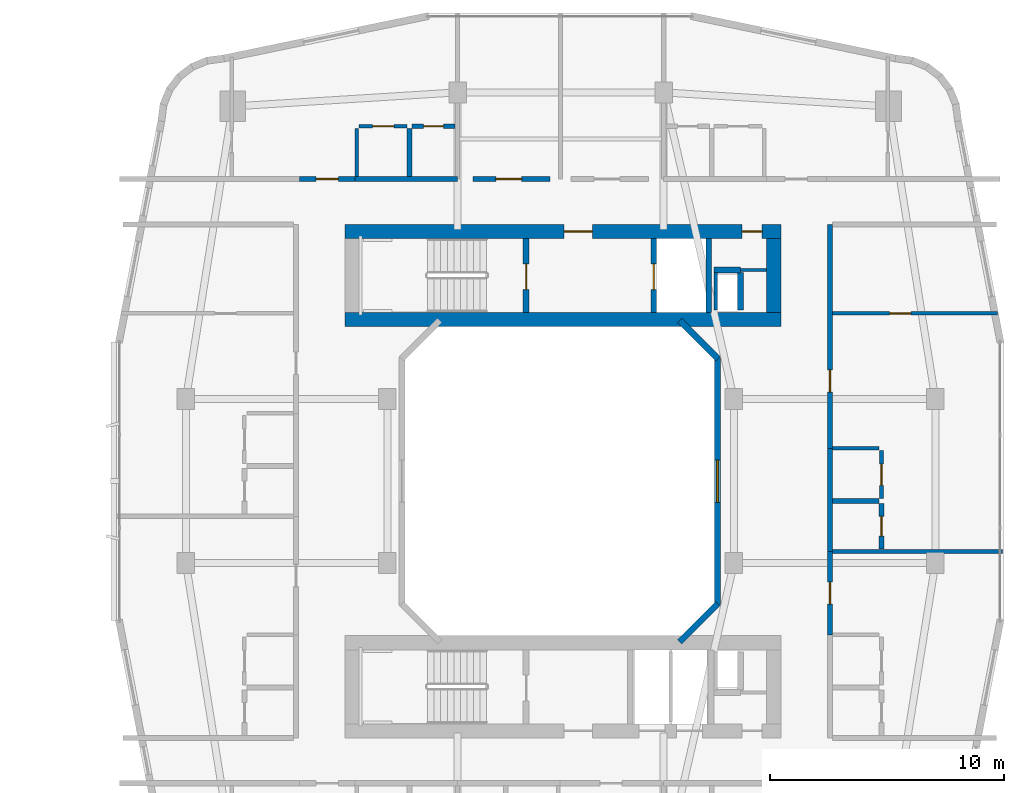
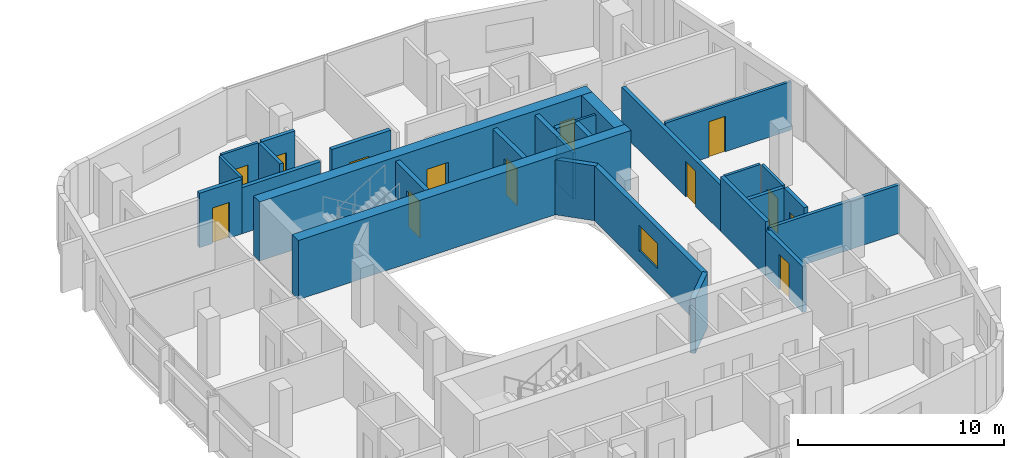
# One storey, part 20 of 27: 29 walls, 13 doors, 1 window, 14 openings.
"""IFC4 building model written with IfcOpenShell, lengths in metres."""

import ifcopenshell
import ifcopenshell.guid

model = None  # the IFC model being written
_history = None  # IfcOwnerHistory: only IFC2X3 demands one
_inside = {}  # id of a spatial element -> (the spatial element, [elements in it])
_under = {}  # id of a project, library or spatial element -> (it, [spatial elements below it])
_declared = {}  # id of a project -> (the project, [libraries it declares])
_typed = {}  # id of a type object -> (the type object, [elements of that type])
_made_of = {}  # id of a material, layer set ... -> (it, [elements and type objects made of it])


def new_model(schema):
    """Start an empty IFC model of exactly this schema.

    Asked for "IFC4X3", IfcOpenShell would pick the latest addendum, in which some entities
    have other attributes; the version numbers below select the first issue.
    IFC2X3 requires an IfcOwnerHistory on every rooted entity: one is made here for all.
    """
    global model, _history
    if schema == "IFC4X3":
        model = ifcopenshell.file(schema_version=(4, 3, 0, 0))
    else:
        model = ifcopenshell.file(schema=schema)
    _inside.clear()
    _under.clear()
    _declared.clear()
    _typed.clear()
    _made_of.clear()
    _history = None
    if model.schema == "IFC2X3":
        org = make("IfcOrganization", Name="unknown")
        user = make(
            "IfcPersonAndOrganization",
            ThePerson=make("IfcPerson", FamilyName="unknown"),
            TheOrganization=org,
        )
        app = make(
            "IfcApplication",
            ApplicationDeveloper=org,
            Version="unknown",
            ApplicationFullName="unknown",
            ApplicationIdentifier="unknown",
        )
        _history = make(
            "IfcOwnerHistory",
            OwningUser=user,
            OwningApplication=app,
            ChangeAction="ADDED",
            CreationDate=0,
        )
    return model


def make(cls, **values):
    """One entity of the class cls with the attributes given. An attribute that is None is left unset."""
    return model.create_entity(
        cls, **{name: value for name, value in values.items() if value is not None}
    )


def rooted(cls, **values):
    """An entity with a GlobalId (a new one), such as an element, a storey or a relation."""
    return make(cls, GlobalId=ifcopenshell.guid.new(), OwnerHistory=_history, **values)


def si_unit(unit_type, name, prefix=None):
    """IfcSIUnit, for example si_unit("LENGTHUNIT", "METRE", prefix="MILLI")."""
    return make("IfcSIUnit", UnitType=unit_type, Prefix=prefix, Name=name)


def derived_unit(unit_type, elements):
    """IfcDerivedUnit: a product of units, each with its exponent."""
    return make(
        "IfcDerivedUnit",
        Elements=[
            make("IfcDerivedUnitElement", Unit=unit, Exponent=power)
            for unit, power in elements
        ],
        UnitType=unit_type,
    )


def assignment(units):
    """IfcUnitAssignment: the units of a project."""
    return None if units is None else make("IfcUnitAssignment", Units=units)


def point(xyz):
    """IfcCartesianPoint."""
    return None if xyz is None else make("IfcCartesianPoint", Coordinates=xyz)


def direction(xyz):
    """IfcDirection."""
    return None if xyz is None else make("IfcDirection", DirectionRatios=xyz)


def frame(location, z_axis=None, x_axis=None):
    """IfcAxis2Placement3D, a coordinate frame: its origin and axes. An axis left out is left unset."""
    return make(
        "IfcAxis2Placement3D",
        Location=point(location),
        Axis=direction(z_axis),
        RefDirection=direction(x_axis),
    )


def frame_2d(location, x_axis=None):
    """IfcAxis2Placement2D, a coordinate frame in the plane: its origin and x axis."""
    return make(
        "IfcAxis2Placement2D", Location=point(location), RefDirection=direction(x_axis)
    )


def origin():
    """The frame at (0, 0, 0) with its axes left unset."""
    return frame((0.0, 0.0, 0.0))


def place(relative_to, where):
    """IfcLocalPlacement: puts the frame where relative to a parent placement (None: the world)."""
    return make(
        "IfcLocalPlacement", PlacementRelTo=relative_to, RelativePlacement=where
    )


def context(
    kind, dimensions, precision=None, world=None, true_north=None, identifier=None
):
    """IfcGeometricRepresentationContext, for example the 3D "Model" context."""
    return make(
        "IfcGeometricRepresentationContext",
        ContextIdentifier=identifier,
        ContextType=kind,
        CoordinateSpaceDimension=dimensions,
        Precision=precision,
        WorldCoordinateSystem=world,
        TrueNorth=true_north,
    )


def subcontext(parent, identifier, kind, view, scale=None):
    """IfcGeometricRepresentationSubContext, for example "Body" below "Model"."""
    return make(
        "IfcGeometricRepresentationSubContext",
        ContextIdentifier=identifier,
        ContextType=kind,
        ParentContext=parent,
        TargetScale=scale,
        TargetView=view,
    )


def project(units=None, contexts=None):
    """IfcProject with its units and contexts."""
    return rooted(
        "IfcProject",
        Name="project",
        RepresentationContexts=contexts,
        UnitsInContext=assignment(units),
    )


def spatial(cls, under=None, at=None, **own):
    """A site, building, storey or space (cls), placed at a placement, below another one or the project."""
    s = rooted(cls, ObjectPlacement=at, **own)
    if under is not None:
        _under.setdefault(under.id(), (under, []))[1].append(s)
    return s


def profile(cls, at=None, kind="AREA", **sizes):
    """A parametric profile (cls). Its sizes go by their IFC names, for example OverallWidth=200.0."""
    return make(cls, ProfileType=kind, Position=at, **sizes)


def rectangle(**sizes):
    """IfcRectangleProfileDef."""
    return profile("IfcRectangleProfileDef", **sizes)


def extrude(swept, where, along, depth):
    """IfcExtrudedAreaSolid: the profile swept, set in the frame where, extruded along a direction by depth."""
    return make(
        "IfcExtrudedAreaSolid",
        SweptArea=swept,
        Position=where,
        ExtrudedDirection=direction(along),
        Depth=depth,
    )


def shape(context_of_items, identifier, shape_type, items):
    """IfcShapeRepresentation: the items that make up one representation, for example the "Body"."""
    return make(
        "IfcShapeRepresentation",
        ContextOfItems=context_of_items,
        RepresentationIdentifier=identifier,
        RepresentationType=shape_type,
        Items=items,
    )


def material(Name=None, Category=None):
    """IfcMaterial."""
    return make("IfcMaterial", Name=Name, Category=Category)


def layer(
    of_material, thickness, ventilated=None, Name=None, Category=None, Priority=None
):
    """IfcMaterialLayer: one layer of a wall or slab, of a material (None: an air gap)."""
    return make(
        "IfcMaterialLayer",
        Material=of_material,
        LayerThickness=thickness,
        IsVentilated=ventilated,
        Name=Name,
        Category=Category,
        Priority=Priority,
    )


def layer_set(layers, Name=None):
    """IfcMaterialLayerSet."""
    return make("IfcMaterialLayerSet", MaterialLayers=layers, LayerSetName=Name)


def made_of(thing, what):
    """Note that an element or type object is made of a material, layer set ...; save() writes the relation."""
    if what is not None:
        _made_of.setdefault(what.id(), (what, []))[1].append(thing)
    return thing


def type_object(cls, material=None, **own):
    """A type object (cls), such as IfcWallType, which elements share."""
    return made_of(rooted(cls, **own), material)


def element(
    cls,
    number,
    at=None,
    inside=None,
    cuts=None,
    type_object=None,
    material=None,
    context=None,
    identifier="Body",
    shape_type=None,
    held_by="IfcProductDefinitionShape",
    body=None,
    shapes=None,
    **own,
):
    """One element of the class cls, such as IfcWall. Its Tag is "e" and its number.

    at: its placement. inside: the storey or other place that contains it. cuts: it is an
    opening in that element (IfcRelVoidsElement). A single representation is given by context,
    identifier, shape_type and body (its items); several are given by shapes. held_by: the class
    of the entity that holds the representations. save() writes the other relations.
    """
    e = rooted(cls, Tag="e%d" % number, ObjectPlacement=at, **own)
    if body is not None:
        shapes = [shape(context, identifier, shape_type, body)]
    if shapes is not None:
        e.Representation = make(held_by, Representations=shapes)
    if inside is not None:
        _inside.setdefault(inside.id(), (inside, []))[1].append(e)
    if cuts is not None:
        rooted(
            "IfcRelVoidsElement", RelatingBuildingElement=cuts, RelatedOpeningElement=e
        )
    if type_object is not None:
        _typed.setdefault(type_object.id(), (type_object, []))[1].append(e)
    return made_of(e, material)


def fill(opening, filler):
    """IfcRelFillsElement: the door or window that sits in an opening."""
    return rooted(
        "IfcRelFillsElement",
        RelatingOpeningElement=opening,
        RelatedBuildingElement=filler,
    )


def aggregate(whole, parts):
    """IfcRelAggregates: a whole, such as a stair, and the parts it consists of."""
    return rooted("IfcRelAggregates", RelatingObject=whole, RelatedObjects=parts)


def save(model, path):
    """Write the relations noted so far, then the file.

    IfcRelAggregates (storeys below a building ...), IfcRelContainedInSpatialStructure (elements
    in a storey), IfcRelDefinesByType, IfcRelAssociatesMaterial and IfcRelDeclares: one each for
    every whole, place, type object, material and project.
    """
    for whole, parts in _under.values():
        aggregate(whole, parts)
    for where, things in _inside.values():
        rooted(
            "IfcRelContainedInSpatialStructure",
            RelatedElements=things,
            RelatingStructure=where,
        )
    for kind, things in _typed.values():
        rooted("IfcRelDefinesByType", RelatedObjects=things, RelatingType=kind)
    for what, things in _made_of.values():
        rooted("IfcRelAssociatesMaterial", RelatedObjects=things, RelatingMaterial=what)
    for by, libraries in _declared.values():
        rooted("IfcRelDeclares", RelatingContext=by, RelatedDefinitions=libraries)
    model.write(path)


model = new_model("IFC4")

# Units and contexts
model_context = context("Model", 3, precision=1e-05, world=origin(), true_north=direction((0.0, 1.0)))
body_context = subcontext(model_context, "Body", "Model", "MODEL_VIEW")
ifc_project = project(units=[si_unit("LENGTHUNIT", "METRE"), si_unit("AREAUNIT", "SQUARE_METRE"), si_unit("VOLUMEUNIT", "CUBIC_METRE"), si_unit("PLANEANGLEUNIT", "RADIAN"), si_unit("MASSUNIT", "GRAM", prefix="KILO"), derived_unit("THERMALTRANSMITTANCEUNIT", [(si_unit("POWERUNIT", "WATT"), 1), (si_unit("LENGTHUNIT", "METRE"), -2), (si_unit("THERMODYNAMICTEMPERATUREUNIT", "KELVIN"), -1)])], contexts=[model_context])

# Site, building, storey
site_placement = place(None, origin())
site = spatial("IfcSite", under=ifc_project, at=site_placement, CompositionType="ELEMENT")
building_placement = place(site_placement, origin())
building = spatial("IfcBuilding", under=site, at=building_placement, Name="Kivonza Crest Hotel", CompositionType="ELEMENT")
storey_placement = place(building_placement, frame((0.0, 0.0, 38.0)))
storey = spatial("IfcBuildingStorey", under=building, at=storey_placement, Name="L09", CompositionType="ELEMENT", Elevation=38.0)

# Walls
ifc_material_1 = material(Name="High-density acoustic masonry inter-tenancy wall", Category="masonry")
ifc_layer_1 = layer(ifc_material_1, 0.179931640625)
ifc_layer_set_1 = layer_set([ifc_layer_1], Name="High-density acoustic masonry inter-tenancy wall")
wall_type_1 = type_object("IfcWallType", Name="WL-ACOU-180", PredefinedType="SOLIDWALL", material=ifc_layer_set_1)
wall_1_placement = place(storey_placement, frame((88.5, 22.0, 0.0), z_axis=(0.0, 0.0, 1.0), x_axis=(1.0, 0.0, 0.0)))
element("IfcWall", 1, at=wall_1_placement, inside=storey, type_object=wall_type_1, Name="L09 interior partition WA-L09-T2E-DIV1", PredefinedType="SOLIDWALL", context=body_context, shape_type="SweptSolid", body=[
    extrude(rectangle(XDim=7.360107421875, YDim=0.179931640625, at=frame_2d((3.68017578125, 0.0))), origin(), (0.0, 0.0, 1.0), 2.864990234375),
])
ifc_material_2 = material(Name="Autoclaved aerated concrete blockwork", Category="masonry")
ifc_layer_2 = layer(ifc_material_2, 0.219970703125)
ifc_layer_set_2 = layer_set([ifc_layer_2], Name="Autoclaved aerated concrete blockwork")
wall_type_2 = type_object("IfcWallType", Name="WL-ACOU-220", PredefinedType="SOLIDWALL", material=ifc_layer_set_2)
wall_2_placement = place(storey_placement, frame((68.219970703125, 37.89990234375, 0.0), z_axis=(0.0, 0.0, 1.0), x_axis=(1.0, 0.0, 0.0)))
element("IfcWall", 2, at=wall_2_placement, inside=storey, type_object=wall_type_2, Name="L09 interior partition WA-L09-A01-RCORR", PredefinedType="SOLIDWALL", context=body_context, shape_type="SweptSolid", body=[
    extrude(rectangle(XDim=4.380126953125, YDim=0.219970703125, at=frame_2d((2.18994140625, 0.0))), origin(), (0.0, 0.0, 1.0), 2.72509765625),
])

# Wall, opening, door
wall_3_placement = place(storey_placement, frame((65.85009765625, 37.89990234375, 0.0), z_axis=(0.0, 0.0, 1.0), x_axis=(1.0, 0.0, 0.0)))
wall_3 = element("IfcWall", 3, at=wall_3_placement, inside=storey, type_object=wall_type_2, Name="L09 interior partition WA-L09-A01-MCORR", PredefinedType="SOLIDWALL", context=body_context, shape_type="SweptSolid", body=[
    extrude(rectangle(XDim=2.369873046875, YDim=0.219970703125, at=frame_2d((1.18505859375, 0.0))), origin(), (0.0, 0.0, 1.0), 3.219970703125),
])
opening_1_placement = place(wall_3_placement, frame((0.7099609375, 0.0, 0.0)))
opening_1 = element("IfcOpeningElement", 4, at=opening_1_placement, cuts=wall_3, Name="Opening DU-60", PredefinedType="OPENING", context=body_context, shape_type="SweptSolid", body=[
    extrude(rectangle(XDim=0.949951171875, YDim=2.10009765625, at=frame_2d((0.47509765625, 1.050048828125))), frame((0.0, 0.1201171875, 0.0), z_axis=(0.0, -1.0, 0.0), x_axis=(1.0, 0.0, 0.0)), (0.0, 0.0, 1.0), 0.239990234375),
])
ifc_material_3 = material(Name="Hardwood timber oak", Category="wood")
door_type_1 = type_object("IfcDoorType", Name="DR-UNIT-950", OperationType="NOTDEFINED", PredefinedType="DOOR", material=ifc_material_3)
door_1_placement = place(opening_1_placement, origin())
door_1 = element("IfcDoor", 5, at=door_1_placement, inside=storey, type_object=door_type_1, Name="L09 A01 apartment entrance fire door", OperationType="SINGLE_SWING_LEFT", OverallHeight=2.10009765625, OverallWidth=0.949951171875, PredefinedType="DOOR", context=body_context, shape_type="SweptSolid", body=[
    extrude(rectangle(XDim=0.949951171875, YDim=2.10009765625, at=frame_2d((0.47509765625, 1.050048828125))), frame((0.0, 0.02490234375, 0.0), z_axis=(0.0, -1.0, 0.0), x_axis=(1.0, 0.0, 0.0)), (0.0, 0.0, 1.0), 0.050048828125),
])
fill(opening_1, door_1)

wall_4_placement = place(storey_placement, frame((73.25, 37.89990234375, 0.0), z_axis=(0.0, 0.0, 1.0), x_axis=(1.0, 0.0, 0.0)))
wall_4 = element("IfcWall", 6, at=wall_4_placement, inside=storey, type_object=wall_type_2, Name="L09 interior partition WA-L09-T2-OFF1-S", PredefinedType="SOLIDWALL", context=body_context, shape_type="SweptSolid", body=[
    extrude(rectangle(XDim=3.300048828125, YDim=0.219970703125, at=frame_2d((1.64990234375, 0.0))), origin(), (0.0, 0.0, 1.0), 3.219970703125),
])
opening_2_placement = place(wall_4_placement, frame((0.97998046875, 0.0, 0.0)))
opening_2 = element("IfcOpeningElement", 7, at=opening_2_placement, cuts=wall_4, Name="Opening DF-60M", PredefinedType="OPENING", context=body_context, shape_type="SweptSolid", body=[
    extrude(rectangle(XDim=1.10009765625, YDim=2.10009765625, at=frame_2d((0.550048828125, 1.050048828125))), frame((0.0, 0.1201171875, 0.0), z_axis=(0.0, -1.0, 0.0), x_axis=(1.0, 0.0, 0.0)), (0.0, 0.0, 1.0), 0.239990234375),
])
door_type_2 = type_object("IfcDoorType", Name="DR-FD60-1100", OperationType="NOTDEFINED", PredefinedType="DOOR", material=ifc_material_3)
door_2_placement = place(opening_2_placement, origin())
door_2 = element("IfcDoor", 8, at=door_2_placement, inside=storey, type_object=door_type_2, Name="L09 Resident Co-Working Study West door", OperationType="SINGLE_SWING_RIGHT", OverallHeight=2.10009765625, OverallWidth=1.10009765625, PredefinedType="DOOR", context=body_context, shape_type="SweptSolid", body=[
    extrude(rectangle(XDim=1.10009765625, YDim=2.10009765625, at=frame_2d((0.550048828125, 1.050048828125))), frame((0.0, 0.02490234375, 0.0), z_axis=(0.0, -1.0, 0.0), x_axis=(1.0, 0.0, 0.0)), (0.0, 0.0, 1.0), 0.050048828125),
])
fill(opening_2, door_2)

wall_5_placement = place(storey_placement, frame((88.5, 18.43994140625, 0.0), z_axis=(0.0, 0.0, 1.0), x_axis=(0.0, 1.0, 0.0)))
wall_5 = element("IfcWall", 9, at=wall_5_placement, inside=storey, type_object=wall_type_2, Name="L09 interior partition WA-L09-A08-MCORR", PredefinedType="SOLIDWALL", context=body_context, shape_type="SweptSolid", body=[
    extrude(rectangle(XDim=3.56005859375, YDim=0.219970703125, at=frame_2d((1.780029296875, 0.0))), origin(), (0.0, 0.0, 1.0), 2.72509765625),
])
opening_3_placement = place(wall_5_placement, frame((1.304931640625, 0.0, 0.0)))
opening_3 = element("IfcOpeningElement", 10, at=opening_3_placement, cuts=wall_5, Name="Opening DU-60", PredefinedType="OPENING", context=body_context, shape_type="SweptSolid", body=[
    extrude(rectangle(XDim=0.949951171875, YDim=2.10009765625, at=frame_2d((0.47509765625, 1.050048828125))), frame((0.0, 0.1201171875, 0.0), z_axis=(0.0, -1.0, 0.0), x_axis=(1.0, 0.0, 0.0)), (0.0, 0.0, 1.0), 0.239990234375),
])
door_3_placement = place(opening_3_placement, frame((0.949951171875, 0.0, 0.0), z_axis=(0.0, 0.0, 1.0), x_axis=(-1.0, 0.0, 0.0)))
door_3 = element("IfcDoor", 11, at=door_3_placement, inside=storey, type_object=door_type_1, Name="L09 A08 apartment entrance fire door", OperationType="SINGLE_SWING_RIGHT", OverallHeight=2.10009765625, OverallWidth=0.949951171875, PredefinedType="DOOR", context=body_context, shape_type="SweptSolid", body=[
    extrude(rectangle(XDim=0.949951171875, YDim=2.10009765625, at=frame_2d((0.47509765625, 1.050048828125))), frame((0.0, 0.02490234375, 0.0), z_axis=(0.0, -1.0, 0.0), x_axis=(1.0, 0.0, 0.0)), (0.0, 0.0, 1.0), 0.050048828125),
])
fill(opening_3, door_3)

# Wall
wall_6_placement = place(storey_placement, frame((88.5, 22.0, 0.0), z_axis=(0.0, 0.0, 1.0), x_axis=(0.0, 1.0, 0.0)))
element("IfcWall", 12, at=wall_6_placement, inside=storey, type_object=wall_type_2, Name="L09 interior partition WA-L09-A09-BCORR", PredefinedType="SOLIDWALL", context=body_context, shape_type="SweptSolid", body=[
    extrude(rectangle(XDim=4.39990234375, YDim=0.219970703125, at=frame_2d((2.199951171875, 0.0))), origin(), (0.0, 0.0, 1.0), 3.219970703125),
])

# Wall, opening, door
wall_7_placement = place(storey_placement, frame((88.5, 26.39990234375, 0.0), z_axis=(0.0, 0.0, 1.0), x_axis=(0.0, 1.0, 0.0)))
wall_7 = element("IfcWall", 13, at=wall_7_placement, inside=storey, type_object=wall_type_2, Name="L09 interior partition WA-L09-A09-MCORR", PredefinedType="SOLIDWALL", context=body_context, shape_type="SweptSolid", body=[
    extrude(rectangle(XDim=9.56005859375, YDim=0.219970703125, at=frame_2d((4.780029296875, 0.0))), origin(), (0.0, 0.0, 1.0), 2.72509765625),
])
opening_4_placement = place(wall_7_placement, frame((2.405029296875, 0.0, 0.0)))
opening_4 = element("IfcOpeningElement", 14, at=opening_4_placement, cuts=wall_7, Name="Opening DU-60", PredefinedType="OPENING", context=body_context, shape_type="SweptSolid", body=[
    extrude(rectangle(XDim=0.949951171875, YDim=2.10009765625, at=frame_2d((0.47509765625, 1.050048828125))), frame((0.0, 0.1201171875, 0.0), z_axis=(0.0, -1.0, 0.0), x_axis=(1.0, 0.0, 0.0)), (0.0, 0.0, 1.0), 0.239990234375),
])
door_4_placement = place(opening_4_placement, frame((0.949951171875, 0.0, 0.0), z_axis=(0.0, 0.0, 1.0), x_axis=(-1.0, 0.0, 0.0)))
door_4 = element("IfcDoor", 15, at=door_4_placement, inside=storey, type_object=door_type_1, Name="L09 A09 apartment entrance fire door", OperationType="SINGLE_SWING_LEFT", OverallHeight=2.10009765625, OverallWidth=0.949951171875, PredefinedType="DOOR", context=body_context, shape_type="SweptSolid", body=[
    extrude(rectangle(XDim=0.949951171875, YDim=2.10009765625, at=frame_2d((0.47509765625, 1.050048828125))), frame((0.0, 0.02490234375, 0.0), z_axis=(0.0, -1.0, 0.0), x_axis=(1.0, 0.0, 0.0)), (0.0, 0.0, 1.0), 0.050048828125),
])
fill(opening_4, door_4)

# Wall
ifc_material_4 = material(Name="Concrete C60/75", Category="concrete")
ifc_layer_3 = layer(ifc_material_4, 0.60009765625)
ifc_layer_set_3 = layer_set([ifc_layer_3], Name="Concrete C60/75")
wall_type_3 = type_object("IfcWallType", Name="WL-CORE-600", PredefinedType="SHEAR", material=ifc_layer_set_3)
wall_8_placement = place(storey_placement, frame((67.800048828125, 31.89990234375, 0.0), z_axis=(0.0, 0.0, 1.0), x_axis=(1.0, 0.0, 0.0)))
element("IfcWall", 16, at=wall_8_placement, inside=storey, type_object=wall_type_3, Name="Core wall T2-N South L09", PredefinedType="SHEAR", context=body_context, shape_type="SweptSolid", body=[
    extrude(rectangle(XDim=18.599853515625, YDim=0.60009765625, at=frame_2d((9.2998046875, 0.0))), origin(), (0.0, 0.0, 1.0), 3.5),
])

# Wall, openings, doors
wall_9_placement = place(storey_placement, frame((67.800048828125, 35.659912109375, 0.0), z_axis=(0.0, 0.0, 1.0), x_axis=(1.0, 0.0, 0.0)))
wall_9 = element("IfcWall", 17, at=wall_9_placement, inside=storey, type_object=wall_type_3, Name="Core wall T2-N North L09", PredefinedType="SHEAR", context=body_context, shape_type="SweptSolid", body=[
    extrude(rectangle(XDim=18.599853515625, YDim=0.60009765625, at=frame_2d((9.2998046875, 0.0))), origin(), (0.0, 0.0, 1.0), 3.5),
])
opening_5_placement = place(wall_9_placement, frame((9.35009765625, 0.0, 0.0)))
opening_5 = element("IfcOpeningElement", 18, at=opening_5_placement, cuts=wall_9, Name="Opening DF-60", PredefinedType="OPENING", context=body_context, shape_type="SweptSolid", body=[
    extrude(rectangle(XDim=1.199951171875, YDim=2.14990234375, at=frame_2d((0.60009765625, 1.074951171875))), frame((0.0, 0.31005859375, 0.0), z_axis=(0.0, -1.0, 0.0), x_axis=(1.0, 0.0, 0.0)), (0.0, 0.0, 1.0), 0.6201171875),
])
opening_6_placement = place(wall_9_placement, frame((16.949951171875, 0.0, 0.0)))
opening_6 = element("IfcOpeningElement", 19, at=opening_6_placement, cuts=wall_9, Name="Opening DF-60R", PredefinedType="OPENING", context=body_context, shape_type="SweptSolid", body=[
    extrude(rectangle(XDim=0.85009765625, YDim=2.10009765625, at=frame_2d((0.425048828125, 1.050048828125))), frame((0.0, 0.31005859375, 0.0), z_axis=(0.0, -1.0, 0.0), x_axis=(1.0, 0.0, 0.0)), (0.0, 0.0, 1.0), 0.6201171875),
])
door_type_3 = type_object("IfcDoorType", Name="DR-FD60-1200", OperationType="NOTDEFINED", PredefinedType="DOOR", material=ifc_material_3)
door_5_placement = place(opening_5_placement, origin())
door_5 = element("IfcDoor", 20, at=door_5_placement, inside=storey, type_object=door_type_3, Name="L09 T2-N firefighting lobby fire door", OperationType="SINGLE_SWING_RIGHT", OverallHeight=2.14990234375, OverallWidth=1.199951171875, PredefinedType="DOOR", context=body_context, shape_type="SweptSolid", body=[
    extrude(rectangle(XDim=1.199951171875, YDim=2.14990234375, at=frame_2d((0.60009765625, 1.074951171875))), frame((0.0, 0.02490234375, 0.0), z_axis=(0.0, -1.0, 0.0), x_axis=(1.0, 0.0, 0.0)), (0.0, 0.0, 1.0), 0.050048828125),
])
fill(opening_5, door_5)
door_type_4 = type_object("IfcDoorType", Name="DR-FD60-850", OperationType="NOTDEFINED", PredefinedType="DOOR", material=ifc_material_3)
door_6_placement = place(opening_6_placement, origin())
door_6 = element("IfcDoor", 21, at=door_6_placement, inside=storey, type_object=door_type_4, Name="L09 T2-N core room door", OperationType="SINGLE_SWING_RIGHT", OverallHeight=2.10009765625, OverallWidth=0.85009765625, PredefinedType="DOOR", context=body_context, shape_type="SweptSolid", body=[
    extrude(rectangle(XDim=0.85009765625, YDim=2.10009765625, at=frame_2d((0.425048828125, 1.050048828125))), frame((0.0, 0.02490234375, 0.0), z_axis=(0.0, -1.0, 0.0), x_axis=(1.0, 0.0, 0.0)), (0.0, 0.0, 1.0), 0.050048828125),
])
fill(opening_6, door_6)

# Walls
wall_10_placement = place(storey_placement, frame((86.10009765625, 32.199951171875, 0.0), z_axis=(0.0, 0.0, 1.0), x_axis=(0.0, 1.0, 0.0)))
element("IfcWall", 22, at=wall_10_placement, inside=storey, type_object=wall_type_3, Name="Core wall T2-N East L09", PredefinedType="SHEAR", context=body_context, shape_type="SweptSolid", body=[
    extrude(rectangle(XDim=3.16015625, YDim=0.60009765625, at=frame_2d((1.580078125, 0.0))), origin(), (0.0, 0.0, 1.0), 3.5),
])
ifc_material_5 = material(Name="Precast concrete C40/50", Category="concrete")
ifc_layer_4 = layer(ifc_material_5, 0.260009765625)
ifc_layer_set_4 = layer_set([ifc_layer_4], Name="Precast concrete C40/50")
wall_type_4 = type_object("IfcWallType", Name="WL-EXT-260", PredefinedType="STANDARD", material=ifc_layer_set_4)
wall_11_placement = place(storey_placement, frame((82.08203125, 18.137939453125, 0.0), z_axis=(0.0, 0.0, 1.0), x_axis=(0.707106781187, 0.707106781187, 0.0)))
element("IfcWall", 23, at=wall_11_placement, inside=storey, type_object=wall_type_4, Name="L09 T2 light-well exterior wall 2", PredefinedType="STANDARD", context=body_context, shape_type="SweptSolid", body=[
    extrude(rectangle(XDim=2.310791015625, YDim=0.260009765625, at=frame_2d((1.1552734375, 0.0))), origin(), (0.0, 0.0, 1.0), 3.25),
])

# Wall, opening, window
wall_12_placement = place(storey_placement, frame((83.68994140625, 19.7099609375, 0.0), z_axis=(0.0, 0.0, 1.0), x_axis=(0.0, 1.0, 0.0)))
wall_12 = element("IfcWall", 24, at=wall_12_placement, inside=storey, type_object=wall_type_4, Name="L09 T2 light-well exterior wall 3", PredefinedType="STANDARD", context=body_context, shape_type="SweptSolid", body=[
    extrude(rectangle(XDim=10.580078125, YDim=0.260009765625, at=frame_2d((5.2900390625, 0.0))), origin(), (0.0, 0.0, 1.0), 3.25),
])
opening_7_placement = place(wall_12_placement, frame((4.389892578125, 0.0, 0.85009765625)))
opening_7 = element("IfcOpeningElement", 25, at=opening_7_placement, cuts=wall_12, Name="Opening WN-03", PredefinedType="OPENING", context=body_context, shape_type="SweptSolid", body=[
    extrude(rectangle(XDim=1.800048828125, YDim=1.5, at=frame_2d((0.89990234375, 0.75))), frame((0.0, 0.14013671875, 0.0), z_axis=(0.0, -1.0, 0.0), x_axis=(1.0, 0.0, 0.0)), (0.0, 0.0, 1.0), 0.280029296875),
])
ifc_material_6 = material(Name="Thermally broken bronze aluminium and low-E double glazing", Category="aluminium")
window_type = type_object("IfcWindowType", Name="WN-180x150", PartitioningType="DOUBLE_PANEL_VERTICAL", PredefinedType="WINDOW", material=ifc_material_6)
window_placement = place(opening_7_placement, origin())
window = element("IfcWindow", 26, at=window_placement, inside=storey, type_object=window_type, Name="L09 T2 light-well window 3", OverallHeight=1.5, OverallWidth=1.800048828125, PartitioningType="SINGLE_PANEL", PredefinedType="WINDOW", context=body_context, shape_type="SweptSolid", body=[
    extrude(rectangle(XDim=1.800048828125, YDim=1.5, at=frame_2d((0.89990234375, 0.75))), frame((0.0, 0.030029296875, 0.0), z_axis=(0.0, -1.0, 0.0), x_axis=(1.0, 0.0, 0.0)), (0.0, 0.0, 1.0), 0.06005859375),
])
fill(opening_7, window)

# Walls
wall_13_placement = place(storey_placement, frame((83.716064453125, 30.22802734375, 0.0), z_axis=(0.0, 0.0, 1.0), x_axis=(-0.707106781187, 0.707106781187, 0.0)))
element("IfcWall", 27, at=wall_13_placement, inside=storey, type_object=wall_type_4, Name="L09 T2 light-well exterior wall 4", PredefinedType="STANDARD", context=body_context, shape_type="SweptSolid", body=[
    extrude(rectangle(XDim=2.310791015625, YDim=0.260009765625, at=frame_2d((1.1552734375, 0.0))), origin(), (0.0, 0.0, 1.0), 3.25),
])
ifc_material_7 = material(Name="Concrete blockwork fire-compartment wall", Category="masonry")
ifc_layer_5 = layer(ifc_material_7, 0.25)
ifc_layer_set_5 = layer_set([ifc_layer_5], Name="Concrete blockwork fire-compartment wall")
wall_type_5 = type_object("IfcWallType", Name="WL-FIRE-250", PredefinedType="SOLIDWALL", material=ifc_layer_set_5)
wall_14_placement = place(storey_placement, frame((84.679931640625, 32.300048828125, 0.0), z_axis=(0.0, 0.0, 1.0), x_axis=(0.0, 1.0, 0.0)))
element("IfcWall", 28, at=wall_14_placement, inside=storey, type_object=wall_type_5, Name="L09 interior partition WA-L09-T2-N-MEPR-E", PredefinedType="SOLIDWALL", context=body_context, shape_type="SweptSolid", body=[
    extrude(rectangle(XDim=1.619873046875, YDim=0.25, at=frame_2d((0.81005859375, 0.0))), origin(), (0.0, 0.0, 1.0), 3.219970703125),
])
wall_15_placement = place(storey_placement, frame((83.550048828125, 34.02001953125, 0.0), z_axis=(0.0, 0.0, 1.0), x_axis=(1.0, 0.0, 0.0)))
element("IfcWall", 29, at=wall_15_placement, inside=storey, type_object=wall_type_5, Name="L09 interior partition WA-L09-T2-N-MEPR-H", PredefinedType="SOLIDWALL", context=body_context, shape_type="SweptSolid", body=[
    extrude(rectangle(XDim=1.1298828125, YDim=0.25, at=frame_2d((0.56494140625, 0.0))), origin(), (0.0, 0.0, 1.0), 3.219970703125),
])
ifc_material_8 = material(Name="Metal-stud gypsum board partition", Category="gypsum")
ifc_layer_6 = layer(ifc_material_8, 0.125)
ifc_layer_set_6 = layer_set([ifc_layer_6], Name="Metal-stud gypsum board partition")
wall_type_6 = type_object("IfcWallType", Name="WL-PART-125", PredefinedType="PARTITIONING", material=ifc_layer_set_6)
wall_16_placement = place(storey_placement, frame((84.679931640625, 34.02001953125, 0.0), z_axis=(0.0, 0.0, 1.0), x_axis=(1.0, 0.0, 0.0)))
element("IfcWall", 30, at=wall_16_placement, inside=storey, type_object=wall_type_6, Name="L09 interior partition WP-L09-T2-N-T2H", PredefinedType="PARTITIONING", context=body_context, shape_type="SweptSolid", body=[
    extrude(rectangle(XDim=1.1201171875, YDim=0.125, at=frame_2d((0.56005859375, 0.0))), origin(), (0.0, 0.0, 1.0), 3.219970703125),
])
ifc_material_9 = material(Name="Twin-stud acoustic gypsum board partition", Category="gypsum")
ifc_layer_7 = layer(ifc_material_9, 0.14990234375)
ifc_layer_set_7 = layer_set([ifc_layer_7], Name="Twin-stud acoustic gypsum board partition")
wall_type_7 = type_object("IfcWallType", Name="WL-PART-150", PredefinedType="PARTITIONING", material=ifc_layer_set_7)
wall_17_placement = place(storey_placement, frame((83.6298828125, 32.300048828125, 0.0), z_axis=(0.0, 0.0, 1.0), x_axis=(0.0, 1.0, 0.0)))
element("IfcWall", 31, at=wall_17_placement, inside=storey, type_object=wall_type_7, Name="L09 interior partition WA-L09-T2-N-MEPR-W", PredefinedType="PARTITIONING", context=body_context, shape_type="SweptSolid", body=[
    extrude(rectangle(XDim=1.619873046875, YDim=0.14990234375, at=frame_2d((0.81005859375, 0.0))), origin(), (0.0, 0.0, 1.0), 2.72509765625),
])
wall_18_placement = place(storey_placement, frame((68.300048828125, 38.0, 0.0), z_axis=(0.0, 0.0, 1.0), x_axis=(0.0, 1.0, 0.0)))
element("IfcWall", 32, at=wall_18_placement, inside=storey, type_object=wall_type_7, Name="L09 interior partition WP-L09-A01-KF", PredefinedType="PARTITIONING", context=body_context, shape_type="SweptSolid", body=[
    extrude(rectangle(XDim=2.050048828125, YDim=0.14990234375, at=frame_2d((1.02490234375, 0.0))), origin(), (0.0, 0.0, 1.0), 3.219970703125),
])

# Wall, opening, door
wall_19_placement = place(storey_placement, frame((68.39990234375, 40.14990234375, 0.0), z_axis=(0.0, 0.0, 1.0), x_axis=(1.0, 0.0, 0.0)))
wall_19 = element("IfcWall", 33, at=wall_19_placement, inside=storey, type_object=wall_type_7, Name="L09 interior partition WP-L09-A01-KSVC", PredefinedType="PARTITIONING", context=body_context, shape_type="SweptSolid", body=[
    extrude(rectangle(XDim=2.050048828125, YDim=0.14990234375, at=frame_2d((1.02490234375, 0.0))), origin(), (0.0, 0.0, 1.0), 3.219970703125),
])
opening_8_placement = place(wall_19_placement, frame((0.574951171875, 0.0, 0.0)))
opening_8 = element("IfcOpeningElement", 34, at=opening_8_placement, cuts=wall_19, Name="Opening DI-90", PredefinedType="OPENING", context=body_context, shape_type="SweptSolid", body=[
    extrude(rectangle(XDim=0.89990234375, YDim=2.10009765625, at=frame_2d((0.449951171875, 1.050048828125))), frame((0.0, 0.0849609375, 0.0), z_axis=(0.0, -1.0, 0.0), x_axis=(1.0, 0.0, 0.0)), (0.0, 0.0, 1.0), 0.169921875),
])
door_type_5 = type_object("IfcDoorType", Name="DR-INT-900", OperationType="NOTDEFINED", PredefinedType="DOOR", material=ifc_material_3)
door_7_placement = place(opening_8_placement, origin())
door_7 = element("IfcDoor", 35, at=door_7_placement, inside=storey, type_object=door_type_5, Name="L09 A01 apartment kitchen door", OperationType="SINGLE_SWING_LEFT", OverallHeight=2.10009765625, OverallWidth=0.89990234375, PredefinedType="DOOR", context=body_context, shape_type="SweptSolid", body=[
    extrude(rectangle(XDim=0.89990234375, YDim=2.10009765625, at=frame_2d((0.449951171875, 1.050048828125))), frame((0.0, 0.02490234375, 0.0), z_axis=(0.0, -1.0, 0.0), x_axis=(1.0, 0.0, 0.0)), (0.0, 0.0, 1.0), 0.050048828125),
])
fill(opening_8, door_7)

wall_20_placement = place(storey_placement, frame((88.60009765625, 32.159912109375, 0.0), z_axis=(0.0, 0.0, 1.0), x_axis=(1.0, 0.0, 0.0)))
wall_20 = element("IfcWall", 36, at=wall_20_placement, inside=storey, type_object=wall_type_7, Name="L09 interior partition WP-L09-A09-BD1", PredefinedType="PARTITIONING", context=body_context, shape_type="SweptSolid", body=[
    extrude(rectangle(XDim=7.059814453125, YDim=0.14990234375, at=frame_2d((3.52978515625, 0.0))), origin(), (0.0, 0.0, 1.0), 2.864990234375),
])
opening_9_placement = place(wall_20_placement, frame((2.449951171875, 0.0, 0.0)))
opening_9 = element("IfcOpeningElement", 37, at=opening_9_placement, cuts=wall_20, Name="Opening DI-90", PredefinedType="OPENING", context=body_context, shape_type="SweptSolid", body=[
    extrude(rectangle(XDim=0.89990234375, YDim=2.10009765625, at=frame_2d((0.449951171875, 1.050048828125))), frame((0.0, 0.0849609375, 0.0), z_axis=(0.0, -1.0, 0.0), x_axis=(1.0, 0.0, 0.0)), (0.0, 0.0, 1.0), 0.169921875),
])
door_8_placement = place(opening_9_placement, origin())
door_8 = element("IfcDoor", 38, at=door_8_placement, inside=storey, type_object=door_type_5, Name="L09 A09 bedroom door", OperationType="SINGLE_SWING_RIGHT", OverallHeight=2.10009765625, OverallWidth=0.89990234375, PredefinedType="DOOR", context=body_context, shape_type="SweptSolid", body=[
    extrude(rectangle(XDim=0.89990234375, YDim=2.10009765625, at=frame_2d((0.449951171875, 1.050048828125))), frame((0.0, 0.02490234375, 0.0), z_axis=(0.0, -1.0, 0.0), x_axis=(1.0, 0.0, 0.0)), (0.0, 0.0, 1.0), 0.050048828125),
])
fill(opening_9, door_8)

# Wall
wall_21_placement = place(storey_placement, frame((88.60009765625, 26.39990234375, 0.0), z_axis=(0.0, 0.0, 1.0), x_axis=(1.0, 0.0, 0.0)))
element("IfcWall", 39, at=wall_21_placement, inside=storey, type_object=wall_type_7, Name="L09 interior partition WP-L09-A09-KF", PredefinedType="PARTITIONING", context=body_context, shape_type="SweptSolid", body=[
    extrude(rectangle(XDim=2.0, YDim=0.14990234375, at=frame_2d((1.0, 0.0))), origin(), (0.0, 0.0, 1.0), 3.219970703125),
])

# Wall, opening, door
wall_22_placement = place(storey_placement, frame((90.699951171875, 24.25, 0.0), z_axis=(0.0, 0.0, 1.0), x_axis=(0.0, 1.0, 0.0)))
wall_22 = element("IfcWall", 40, at=wall_22_placement, inside=storey, type_object=wall_type_7, Name="L09 interior partition WP-L09-A09-KSVC", PredefinedType="PARTITIONING", context=body_context, shape_type="SweptSolid", body=[
    extrude(rectangle(XDim=2.050048828125, YDim=0.14990234375, at=frame_2d((1.02490234375, 0.0))), origin(), (0.0, 0.0, 1.0), 3.219970703125),
])
opening_10_placement = place(wall_22_placement, frame((0.574951171875, 0.0, 0.0)))
opening_10 = element("IfcOpeningElement", 41, at=opening_10_placement, cuts=wall_22, Name="Opening DI-90", PredefinedType="OPENING", context=body_context, shape_type="SweptSolid", body=[
    extrude(rectangle(XDim=0.89990234375, YDim=2.10009765625, at=frame_2d((0.449951171875, 1.050048828125))), frame((0.0, 0.0849609375, 0.0), z_axis=(0.0, -1.0, 0.0), x_axis=(1.0, 0.0, 0.0)), (0.0, 0.0, 1.0), 0.169921875),
])
door_9_placement = place(opening_10_placement, frame((0.89990234375, 0.0, 0.0), z_axis=(0.0, 0.0, 1.0), x_axis=(-1.0, 0.0, 0.0)))
door_9 = element("IfcDoor", 42, at=door_9_placement, inside=storey, type_object=door_type_5, Name="L09 A09 apartment kitchen door", OperationType="SINGLE_SWING_LEFT", OverallHeight=2.10009765625, OverallWidth=0.89990234375, PredefinedType="DOOR", context=body_context, shape_type="SweptSolid", body=[
    extrude(rectangle(XDim=0.89990234375, YDim=2.10009765625, at=frame_2d((0.449951171875, 1.050048828125))), frame((0.0, 0.02490234375, 0.0), z_axis=(0.0, -1.0, 0.0), x_axis=(1.0, 0.0, 0.0)), (0.0, 0.0, 1.0), 0.050048828125),
])
fill(opening_10, door_9)

# Wall
ifc_material_10 = material(Name="Moisture-resistant plumbing chase partition wall", Category="gypsum")
ifc_layer_8 = layer(ifc_material_10, 0.199951171875)
ifc_layer_set_8 = layer_set([ifc_layer_8], Name="Moisture-resistant plumbing chase partition wall")
wall_type_8 = type_object("IfcWallType", Name="WL-PLUMB-200", PredefinedType="PLUMBINGWALL", material=ifc_layer_set_8)
wall_23_placement = place(storey_placement, frame((70.550048828125, 38.0, 0.0), z_axis=(0.0, 0.0, 1.0), x_axis=(0.0, 1.0, 0.0)))
element("IfcWall", 43, at=wall_23_placement, inside=storey, type_object=wall_type_8, Name="L09 interior partition WW-L09-A01-BK", PredefinedType="PLUMBINGWALL", context=body_context, shape_type="SweptSolid", body=[
    extrude(rectangle(XDim=2.050048828125, YDim=0.199951171875, at=frame_2d((1.02490234375, 0.0))), origin(), (0.0, 0.0, 1.0), 3.219970703125),
])

# Wall, opening, door
wall_24_placement = place(storey_placement, frame((70.64990234375, 40.14990234375, 0.0), z_axis=(0.0, 0.0, 1.0), x_axis=(1.0, 0.0, 0.0)))
wall_24 = element("IfcWall", 44, at=wall_24_placement, inside=storey, type_object=wall_type_8, Name="L09 interior partition WW-L09-A01-BSVC", PredefinedType="PLUMBINGWALL", context=body_context, shape_type="SweptSolid", body=[
    extrude(rectangle(XDim=1.85009765625, YDim=0.199951171875, at=frame_2d((0.925048828125, 0.0))), origin(), (0.0, 0.0, 1.0), 3.219970703125),
])
opening_11_placement = place(wall_24_placement, frame((0.5, 0.0, 0.0)))
opening_11 = element("IfcOpeningElement", 45, at=opening_11_placement, cuts=wall_24, Name="Opening DI-85", PredefinedType="OPENING", context=body_context, shape_type="SweptSolid", body=[
    extrude(rectangle(XDim=0.85009765625, YDim=2.10009765625, at=frame_2d((0.425048828125, 1.050048828125))), frame((0.0, 0.10986328125, 0.0), z_axis=(0.0, -1.0, 0.0), x_axis=(1.0, 0.0, 0.0)), (0.0, 0.0, 1.0), 0.219970703125),
])
door_type_6 = type_object("IfcDoorType", Name="DR-INT-850", OperationType="NOTDEFINED", PredefinedType="DOOR", material=ifc_material_3)
door_10_placement = place(opening_11_placement, origin())
door_10 = element("IfcDoor", 46, at=door_10_placement, inside=storey, type_object=door_type_6, Name="L09 A01 apartment bathroom door", OperationType="SINGLE_SWING_RIGHT", OverallHeight=2.10009765625, OverallWidth=0.85009765625, PredefinedType="DOOR", context=body_context, shape_type="SweptSolid", body=[
    extrude(rectangle(XDim=0.85009765625, YDim=2.10009765625, at=frame_2d((0.425048828125, 1.050048828125))), frame((0.0, 0.02490234375, 0.0), z_axis=(0.0, -1.0, 0.0), x_axis=(1.0, 0.0, 0.0)), (0.0, 0.0, 1.0), 0.050048828125),
])
fill(opening_11, door_10)

# Wall
wall_25_placement = place(storey_placement, frame((88.60009765625, 24.14990234375, 0.0), z_axis=(0.0, 0.0, 1.0), x_axis=(1.0, 0.0, 0.0)))
element("IfcWall", 47, at=wall_25_placement, inside=storey, type_object=wall_type_8, Name="L09 interior partition WW-L09-A09-BK", PredefinedType="PLUMBINGWALL", context=body_context, shape_type="SweptSolid", body=[
    extrude(rectangle(XDim=2.0, YDim=0.199951171875, at=frame_2d((1.0, 0.0))), origin(), (0.0, 0.0, 1.0), 3.219970703125),
])

# Wall, opening, door
wall_26_placement = place(storey_placement, frame((90.699951171875, 22.10009765625, 0.0), z_axis=(0.0, 0.0, 1.0), x_axis=(0.0, 1.0, 0.0)))
wall_26 = element("IfcWall", 48, at=wall_26_placement, inside=storey, type_object=wall_type_8, Name="L09 interior partition WW-L09-A09-BSVC", PredefinedType="PLUMBINGWALL", context=body_context, shape_type="SweptSolid", body=[
    extrude(rectangle(XDim=1.949951171875, YDim=0.199951171875, at=frame_2d((0.97509765625, 0.0))), origin(), (0.0, 0.0, 1.0), 3.219970703125),
])
opening_12_placement = place(wall_26_placement, frame((0.550048828125, 0.0, 0.0)))
opening_12 = element("IfcOpeningElement", 49, at=opening_12_placement, cuts=wall_26, Name="Opening DI-85", PredefinedType="OPENING", context=body_context, shape_type="SweptSolid", body=[
    extrude(rectangle(XDim=0.85009765625, YDim=2.10009765625, at=frame_2d((0.425048828125, 1.050048828125))), frame((0.0, 0.10986328125, 0.0), z_axis=(0.0, -1.0, 0.0), x_axis=(1.0, 0.0, 0.0)), (0.0, 0.0, 1.0), 0.219970703125),
])
door_11_placement = place(opening_12_placement, frame((0.85009765625, 0.0, 0.0), z_axis=(0.0, 0.0, 1.0), x_axis=(-1.0, 0.0, 0.0)))
door_11 = element("IfcDoor", 50, at=door_11_placement, inside=storey, type_object=door_type_6, Name="L09 A09 apartment bathroom door", OperationType="SINGLE_SWING_RIGHT", OverallHeight=2.10009765625, OverallWidth=0.85009765625, PredefinedType="DOOR", context=body_context, shape_type="SweptSolid", body=[
    extrude(rectangle(XDim=0.85009765625, YDim=2.10009765625, at=frame_2d((0.425048828125, 1.050048828125))), frame((0.0, 0.02490234375, 0.0), z_axis=(0.0, -1.0, 0.0), x_axis=(1.0, 0.0, 0.0)), (0.0, 0.0, 1.0), 0.050048828125),
])
fill(opening_12, door_11)

ifc_material_11 = material(Name="Concrete C50/60", Category="concrete")
ifc_layer_9 = layer(ifc_material_11, 0.25)
ifc_layer_set_9 = layer_set([ifc_layer_9], Name="Concrete C50/60")
wall_type_9 = type_object("IfcWallType", Name="WL-SHAFT-250", PredefinedType="STANDARD", material=ifc_layer_set_9)
wall_27_placement = place(storey_placement, frame((75.52490234375, 32.199951171875, 0.0), z_axis=(0.0, 0.0, 1.0), x_axis=(0.0, 1.0, 0.0)))
wall_27 = element("IfcWall", 51, at=wall_27_placement, inside=storey, type_object=wall_type_9, Name="Core shaft wall T2-N STAIR L09", PredefinedType="STANDARD", context=body_context, shape_type="SweptSolid", body=[
    extrude(rectangle(XDim=3.16015625, YDim=0.25, at=frame_2d((1.580078125, 0.0))), origin(), (0.0, 0.0, 1.0), 3.25),
])
opening_13_placement = place(wall_27_placement, frame((0.97998046875, 0.0, 0.0)))
opening_13 = element("IfcOpeningElement", 52, at=opening_13_placement, cuts=wall_27, Name="Opening DF-120", PredefinedType="OPENING", context=body_context, shape_type="SweptSolid", body=[
    extrude(rectangle(XDim=1.10009765625, YDim=2.14990234375, at=frame_2d((0.550048828125, 1.074951171875))), frame((0.0, 0.135009765625, 0.0), z_axis=(0.0, -1.0, 0.0), x_axis=(1.0, 0.0, 0.0)), (0.0, 0.0, 1.0), 0.27001953125),
])
ifc_material_12 = material(Name="Galvanised steel", Category="steel")
door_type_7 = type_object("IfcDoorType", Name="DR-FD120-1100", OperationType="NOTDEFINED", PredefinedType="DOOR", material=ifc_material_12)
door_12_placement = place(opening_13_placement, frame((1.10009765625, 0.0, 0.0), z_axis=(0.0, 0.0, 1.0), x_axis=(-1.0, 0.0, 0.0)))
door_12 = element("IfcDoor", 53, at=door_12_placement, inside=storey, type_object=door_type_7, Name="L09 T2-N stair fire door", OperationType="SINGLE_SWING_LEFT", OverallHeight=2.14990234375, OverallWidth=1.10009765625, PredefinedType="DOOR", context=body_context, shape_type="SweptSolid", body=[
    extrude(rectangle(XDim=1.10009765625, YDim=2.14990234375, at=frame_2d((0.550048828125, 1.074951171875))), frame((0.0, 0.02490234375, 0.0), z_axis=(0.0, -1.0, 0.0), x_axis=(1.0, 0.0, 0.0)), (0.0, 0.0, 1.0), 0.050048828125),
])
fill(opening_13, door_12)

wall_28_placement = place(storey_placement, frame((80.97509765625, 32.199951171875, 0.0), z_axis=(0.0, 0.0, 1.0), x_axis=(0.0, 1.0, 0.0)))
wall_28 = element("IfcWall", 54, at=wall_28_placement, inside=storey, type_object=wall_type_9, Name="Core shaft wall T2-N FFL-W L09", PredefinedType="STANDARD", context=body_context, shape_type="SweptSolid", body=[
    extrude(rectangle(XDim=3.16015625, YDim=0.25, at=frame_2d((1.580078125, 0.0))), origin(), (0.0, 0.0, 1.0), 3.25),
])
opening_14_placement = place(wall_28_placement, frame((0.97998046875, 0.0, 0.0)))
opening_14 = element("IfcOpeningElement", 55, at=opening_14_placement, cuts=wall_28, Name="Opening LD-120", PredefinedType="OPENING", context=body_context, shape_type="SweptSolid", body=[
    extrude(rectangle(XDim=1.10009765625, YDim=2.14990234375, at=frame_2d((0.550048828125, 1.074951171875))), frame((0.0, 0.135009765625, 0.0), z_axis=(0.0, -1.0, 0.0), x_axis=(1.0, 0.0, 0.0)), (0.0, 0.0, 1.0), 0.27001953125),
])
ifc_material_13 = material(Name="Stainless steel", Category="steel")
door_type_8 = type_object("IfcDoorType", Name="DR-LD120-1100", OperationType="NOTDEFINED", PredefinedType="DOOR", material=ifc_material_13)
door_13_placement = place(opening_14_placement, origin())
door_13 = element("IfcDoor", 56, at=door_13_placement, inside=storey, type_object=door_type_8, Name="L09 FFL-T2 firefighting lift sliding landing door", OperationType="DOUBLE_DOOR_SLIDING", OverallHeight=2.14990234375, OverallWidth=1.10009765625, PredefinedType="DOOR", context=body_context, shape_type="SweptSolid", body=[
    extrude(rectangle(XDim=1.10009765625, YDim=2.14990234375, at=frame_2d((0.550048828125, 1.074951171875))), frame((0.0, 0.02490234375, 0.0), z_axis=(0.0, -1.0, 0.0), x_axis=(1.0, 0.0, 0.0)), (0.0, 0.0, 1.0), 0.050048828125),
])
fill(opening_14, door_13)

# Wall
wall_29_placement = place(storey_placement, frame((83.324951171875, 32.199951171875, 0.0), z_axis=(0.0, 0.0, 1.0), x_axis=(0.0, 1.0, 0.0)))
element("IfcWall", 57, at=wall_29_placement, inside=storey, type_object=wall_type_9, Name="Core shaft wall T2-N FFL-E L09", PredefinedType="STANDARD", context=body_context, shape_type="SweptSolid", body=[
    extrude(rectangle(XDim=3.16015625, YDim=0.25, at=frame_2d((1.580078125, 0.0))), origin(), (0.0, 0.0, 1.0), 3.25),
])

save(model, "model.ifc")
